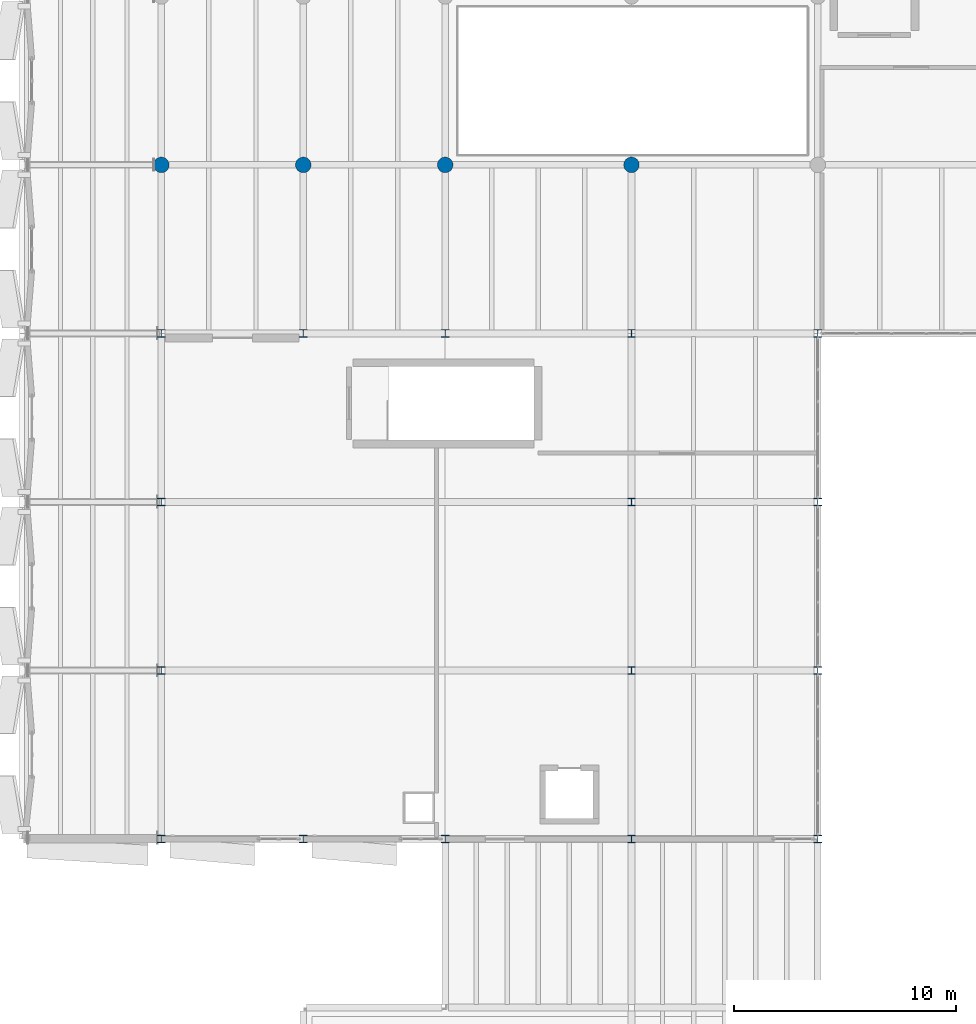
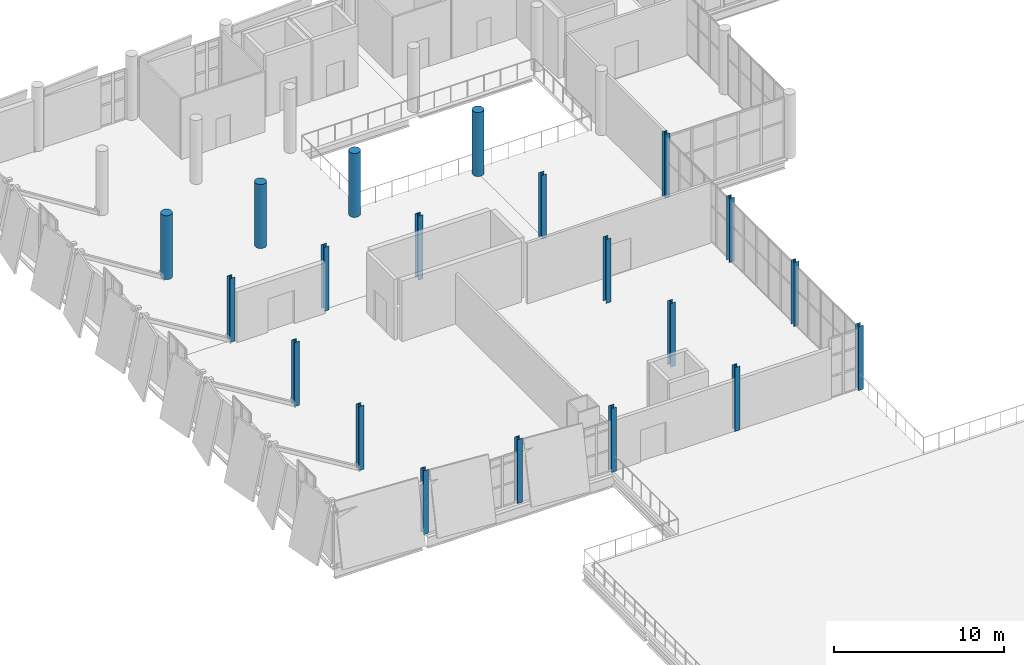
# One storey, part 1 of 74: 20 columns.
"""IFC4 building model written with IfcOpenShell, lengths in metres."""

from ifc_helpers import new_model, si_unit, direction, frame, origin, origin_2d, place, context, subcontext, project, spatial, circle, i_section, extrude, material, material_profile, profile_set, type_object, element, save


model = new_model("IFC4")

# Units and contexts
model_context = context("Model", 3, precision=1e-05, world=origin(), true_north=direction((0.0, 1.0)))
body_context = subcontext(model_context, "Body", "Model", "MODEL_VIEW")
ifc_project = project(units=[si_unit("LENGTHUNIT", "METRE"), si_unit("AREAUNIT", "SQUARE_METRE"), si_unit("VOLUMEUNIT", "CUBIC_METRE"), si_unit("PLANEANGLEUNIT", "RADIAN"), si_unit("MASSUNIT", "GRAM", prefix="KILO")], contexts=[model_context])

# Site, building, storey
site_placement = place(None, origin())
site = spatial("IfcSite", under=ifc_project, at=site_placement, CompositionType="ELEMENT")
building_placement = place(site_placement, origin())
building = spatial("IfcBuilding", under=site, at=building_placement, Name="Shengluoqiao Park Theatre", CompositionType="ELEMENT")
storey_placement = place(building_placement, frame((0.0, 0.0, 14.60009765625)))
storey = spatial("IfcBuildingStorey", under=building, at=storey_placement, Name="L03", CompositionType="ELEMENT", Elevation=14.60009765625)

# Columns
ifc_material_1 = material(Name="Steel Q355", Category="steel")
ifc_material_profile_1 = material_profile(ifc_material_1, i_section(OverallWidth=0.347900390625, OverallDepth=0.343994140625, WebThickness=0.010009765625, FlangeThickness=0.01611328125, FilletRadius=0.01806640625, at=origin_2d()), Name="HW 344x348x10x16")
ifc_profile_set_1 = profile_set([ifc_material_profile_1], Name="Steel Q355")
column_type_1 = type_object("IfcColumnType", Name="STR-COL-C-HW344", PredefinedType="COLUMN", material=ifc_profile_set_1)
for number, where, z_axis, x_axis, name in (
    (1, (6.39990234375, 30.39990234375, 0.0), (0.0, 0.0, 1.0), (1.0, 0.0, 0.0), "L03 Column 0004"),
    (2, (6.39990234375, 38.0, 0.0), (0.0, 0.0, 1.0), (1.0, 0.0, 0.0), "L03 Column 0008"),
    (3, (6.39990234375, 45.60009765625, 0.0), (0.0, 0.0, 1.0), (1.0, 0.0, 0.0), "L03 Column 0012"),
    (4, (6.39990234375, 53.199951171875, 0.0), (0.0, 0.0, 1.0), (1.0, 0.0, 0.0), "L03 Column 0016"),
    (5, (12.800048828125, 30.39990234375, 0.0), (0.0, 0.0, 1.0), (1.0, 0.0, 0.0), "L03 Column 0048"),
    (6, (12.800048828125, 53.199951171875, 0.0), (0.0, 0.0, 1.0), (1.0, 0.0, 0.0), "L03 Column 0054"),
    (7, (19.199951171875, 30.39990234375, 0.0), (0.0, 0.0, 1.0), (1.0, 0.0, 0.0), "L03 Column 0080"),
    (8, (19.199951171875, 53.199951171875, 0.0), (0.0, 0.0, 1.0), (1.0, 0.0, 0.0), "L03 Column 0086"),
    (9, (27.60009765625, 30.39990234375, 0.0), (0.0, 0.0, 1.0), (1.0, 0.0, 0.0), "L03 Column 0118"),
    (10, (27.60009765625, 38.0, 0.0), (0.0, 0.0, 1.0), (1.0, 0.0, 0.0), "L03 Column 0122"),
    (11, (27.60009765625, 45.60009765625, 0.0), (0.0, 0.0, 1.0), (1.0, 0.0, 0.0), "L03 Column 0126"),
    (12, (27.60009765625, 53.199951171875, 0.0), (0.0, 0.0, 1.0), (1.0, 0.0, 0.0), "L03 Column 0130"),
    (13, (36.0, 30.39990234375, 0.0), (0.0, 0.0, 1.0), (1.0, 0.0, 0.0), "L03 Column 0162"),
    (14, (36.0, 38.0, 0.0), (0.0, 0.0, 1.0), (1.0, 0.0, 0.0), "L03 Column 0166"),
    (15, (36.0, 45.60009765625, 0.0), (0.0, 0.0, 1.0), (1.0, 0.0, 0.0), "L03 Column 0170"),
    (16, (36.0, 53.199951171875, 0.0), (0.0, 0.0, 1.0), (1.0, 0.0, 0.0), "L03 Column 0174"),
):
    element("IfcColumn", number, at=place(storey_placement, frame(where, z_axis=z_axis, x_axis=x_axis)), inside=storey, type_object=column_type_1, Name=name, PredefinedType="COLUMN", context=body_context, shape_type="SweptSolid", body=[
        extrude(i_section(OverallWidth=0.347900390625, OverallDepth=0.343994140625, WebThickness=0.010009765625, FlangeThickness=0.01611328125, FilletRadius=0.01806640625, at=origin_2d()), origin(), (0.0, 0.0, 1.0), 4.599853515625),
    ])
ifc_material_2 = material(Name="Concrete C50", Category="concrete")
ifc_material_profile_2 = material_profile(ifc_material_2, circle(Radius=0.35009765625, at=origin_2d()), Name="RC COL D700")
ifc_profile_set_2 = profile_set([ifc_material_profile_2], Name="Concrete C50")
column_type_2 = type_object("IfcColumnType", Name="STR-COL-C-RCD700", PredefinedType="COLUMN", material=ifc_profile_set_2)
for number, where, z_axis, x_axis, name in (
    (17, (6.39990234375, 60.800048828125, 0.0), (0.0, 0.0, 1.0), (1.0, 0.0, 0.0), "L03 Column 0020"),
    (18, (12.800048828125, 60.800048828125, 0.0), (0.0, 0.0, 1.0), (1.0, 0.0, 0.0), "L03 Column 0058"),
    (19, (19.199951171875, 60.800048828125, 0.0), (0.0, 0.0, 1.0), (1.0, 0.0, 0.0), "L03 Column 0090"),
    (20, (27.60009765625, 60.800048828125, 0.0), (0.0, 0.0, 1.0), (1.0, 0.0, 0.0), "L03 Column 0134"),
):
    element("IfcColumn", number, at=place(storey_placement, frame(where, z_axis=z_axis, x_axis=x_axis)), inside=storey, type_object=column_type_2, Name=name, PredefinedType="COLUMN", context=body_context, shape_type="SweptSolid", body=[
        extrude(circle(Radius=0.35009765625, at=origin_2d()), origin(), (0.0, 0.0, 1.0), 4.599853515625),
    ])

save(model, "model.ifc")
